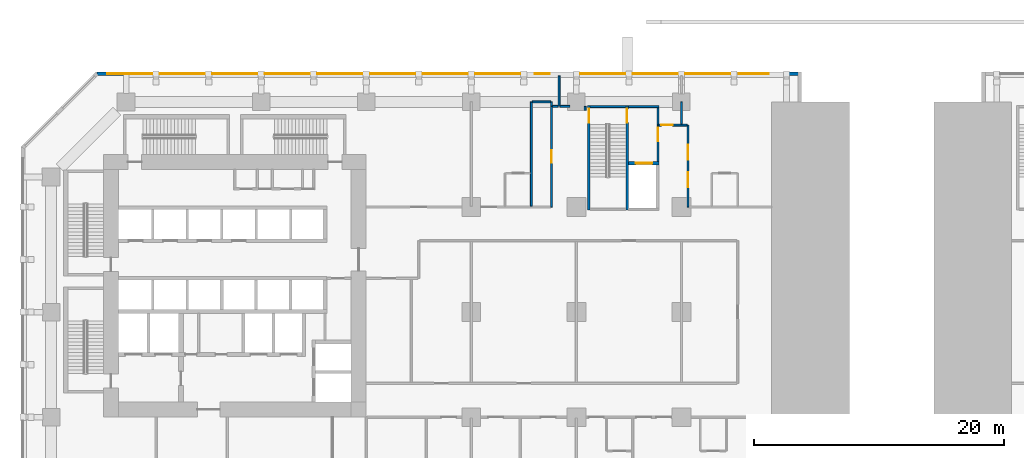
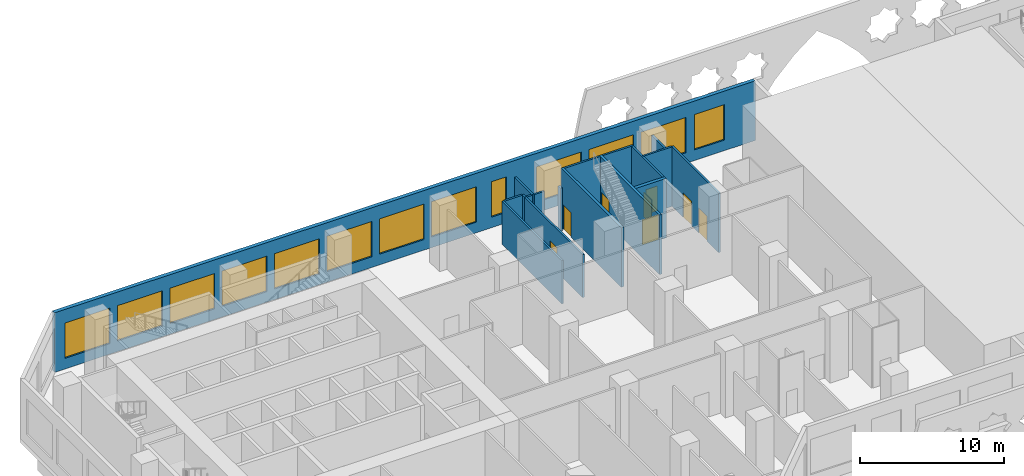
# One storey, part 12 of 24: 18 walls, 13 windows, 8 doors, 21 openings.
"""IFC4 building model written with IfcOpenShell, lengths in metres."""

from ifc_helpers import new_model, si_unit, direction, frame, frame_2d, origin, place, context, subcontext, project, spatial, rectangle, extrude, material, layer, layer_set, type_object, element, fill, save


model = new_model("IFC4")

# Units and contexts
model_context = context("Model", 3, precision=1e-05, world=origin(), true_north=direction((0.0, 1.0)))
body_context = subcontext(model_context, "Body", "Model", "MODEL_VIEW")
ifc_project = project(units=[si_unit("LENGTHUNIT", "METRE"), si_unit("AREAUNIT", "SQUARE_METRE"), si_unit("VOLUMEUNIT", "CUBIC_METRE"), si_unit("PLANEANGLEUNIT", "RADIAN"), si_unit("MASSUNIT", "GRAM", prefix="KILO")], contexts=[model_context])

# Site, building, storey
site_placement = place(None, origin())
site = spatial("IfcSite", under=ifc_project, at=site_placement, CompositionType="ELEMENT")
building_placement = place(site_placement, origin())
building = spatial("IfcBuilding", under=site, at=building_placement, Name="Kawkab Arch Medical Tower", CompositionType="ELEMENT")
storey_placement = place(building_placement, frame((0.0, 0.0, 18.199951171875)))
storey = spatial("IfcBuildingStorey", under=building, at=storey_placement, Name="L04", CompositionType="ELEMENT", Elevation=18.199951171875)

# Wall, opening, door
ifc_material_1 = material(Name="Gypsum board on steel studs", Category="steel")
ifc_layer_1 = layer(ifc_material_1, 0.14990234375)
ifc_layer_set_1 = layer_set([ifc_layer_1], Name="Gypsum board on steel studs")
wall_type_1 = type_object("IfcWallType", Name="Core room partition 150", PredefinedType="PARTITIONING", material=ifc_layer_set_1)
wall_1_placement = place(storey_placement, frame((48.52490234375, -4.77490234375, 0.0), z_axis=(0.0, 0.0, 1.0), x_axis=(0.0, 1.0, 0.0)))
wall_1 = element("IfcWall", 1, at=wall_1_placement, inside=storey, type_object=wall_type_1, Name="L04 core room partition", PredefinedType="PARTITIONING", context=body_context, shape_type="SweptSolid", body=[
    extrude(rectangle(XDim=4.324951171875, YDim=0.14990234375, at=frame_2d((2.16259765625, 0.0))), origin(), (0.0, 0.0, 1.0), 5.050048828125),
])
opening_1_placement = place(wall_1_placement, frame((1.625, 0.0, 0.0)))
opening_1 = element("IfcOpeningElement", 2, at=opening_1_placement, cuts=wall_1, Name="Opening FD", PredefinedType="OPENING", context=body_context, shape_type="SweptSolid", body=[
    extrude(rectangle(XDim=1.10009765625, YDim=2.10009765625, at=frame_2d((0.550048828125, 1.050048828125))), frame((0.0, 0.0849609375, 0.0), z_axis=(0.0, -1.0, 0.0), x_axis=(1.0, 0.0, 0.0)), (0.0, 0.0, 1.0), 0.169921875),
])
ifc_material_2 = material(Name="Hollow metal fire door leaf")
door_type_1 = type_object("IfcDoorType", Name="Firefighting lobby door 1100", OperationType="SINGLE_SWING_LEFT", PredefinedType="DOOR", material=ifc_material_2)
door_1_placement = place(opening_1_placement, origin())
door_1 = element("IfcDoor", 3, at=door_1_placement, inside=storey, type_object=door_type_1, Name="L04 Service lift lobby door SV1", OperationType="SINGLE_SWING_LEFT", OverallHeight=2.10009765625, OverallWidth=1.10009765625, PredefinedType="DOOR", context=body_context, shape_type="SweptSolid", body=[
    extrude(rectangle(XDim=1.10009765625, YDim=2.10009765625, at=frame_2d((0.550048828125, 1.050048828125))), frame((0.0, 0.02490234375, 0.0), z_axis=(0.0, -1.0, 0.0), x_axis=(1.0, 0.0, 0.0)), (0.0, 0.0, 1.0), 0.050048828125),
])
fill(opening_1, door_1)

ifc_material_3 = material(Name="Concrete C60/75", Category="concrete")
ifc_layer_2 = layer(ifc_material_3, 0.25)
ifc_layer_set_2 = layer_set([ifc_layer_2], Name="Concrete C60/75")
wall_type_2 = type_object("IfcWallType", Name="Core shear wall 250 C60/75", PredefinedType="SHEAR", material=ifc_layer_set_2)
wall_2_placement = place(storey_placement, frame((46.14990234375, -4.89990234375, 0.0), z_axis=(0.0, 0.0, 1.0), x_axis=(1.0, 0.0, 0.0)))
wall_2 = element("IfcWall", 4, at=wall_2_placement, inside=storey, type_object=wall_type_2, Name="L04 core shear wall", PredefinedType="SHEAR", context=body_context, shape_type="SweptSolid", body=[
    extrude(rectangle(XDim=2.4501953125, YDim=0.25, at=frame_2d((1.22509765625, 0.0))), origin(), (0.0, 0.0, 1.0), 5.050048828125),
])
opening_2_placement = place(wall_2_placement, frame((0.60009765625, 0.0, 0.0)))
opening_2 = element("IfcOpeningElement", 5, at=opening_2_placement, cuts=wall_2, Name="Opening LD2", PredefinedType="OPENING", context=body_context, shape_type="SweptSolid", body=[
    extrude(rectangle(XDim=1.300048828125, YDim=2.10009765625, at=frame_2d((0.64990234375, 1.050048828125))), frame((0.0, 0.135009765625, 0.0), z_axis=(0.0, -1.0, 0.0), x_axis=(1.0, 0.0, 0.0)), (0.0, 0.0, 1.0), 0.27001953125),
])
ifc_material_4 = material(Name="Stainless steel lift door leaf", Category="steel")
door_type_2 = type_object("IfcDoorType", Name="Lift landing door 1300", OperationType="DOUBLE_DOOR_SLIDING", PredefinedType="DOOR", material=ifc_material_4)
door_2_placement = place(opening_2_placement, origin())
door_2 = element("IfcDoor", 6, at=door_2_placement, inside=storey, type_object=door_type_2, Name="L04 Lift landing door SV1", OperationType="DOUBLE_DOOR_SLIDING", OverallHeight=2.10009765625, OverallWidth=1.300048828125, PredefinedType="DOOR", context=body_context, shape_type="SweptSolid", body=[
    extrude(rectangle(XDim=1.300048828125, YDim=2.10009765625, at=frame_2d((0.64990234375, 1.050048828125))), frame((0.0, 0.02490234375, 0.0), z_axis=(0.0, -1.0, 0.0), x_axis=(1.0, 0.0, 0.0)), (0.0, 0.0, 1.0), 0.050048828125),
])
fill(opening_2, door_2)

ifc_material_5 = material(Name="Gypsum board partition on steel studs, mineral wool", Category="steel")
ifc_layer_3 = layer(ifc_material_5, 0.14990234375)
ifc_layer_set_3 = layer_set([ifc_layer_3], Name="Gypsum board partition on steel studs, mineral wool")
wall_type_3 = type_object("IfcWallType", Name="Partition 150", PredefinedType="PARTITIONING", material=ifc_layer_set_3)
wall_3_placement = place(storey_placement, frame((48.550048828125, -1.85009765625, 0.0), z_axis=(0.0, 0.0, 1.0), x_axis=(1.0, 0.0, 0.0)))
wall_3 = element("IfcWall", 7, at=wall_3_placement, inside=storey, type_object=wall_type_3, Name="Partition 150 w083", PredefinedType="PARTITIONING", context=body_context, shape_type="SweptSolid", body=[
    extrude(rectangle(XDim=2.2978515625, YDim=0.14990234375, at=frame_2d((1.14892578125, 0.0))), origin(), (0.0, 0.0, 1.0), 5.050048828125),
])
opening_3_placement = place(wall_3_placement, frame((0.25, 0.0, 0.0)))
opening_3 = element("IfcOpeningElement", 8, at=opening_3_placement, cuts=wall_3, Name="Opening P04-018", PredefinedType="OPENING", context=body_context, shape_type="SweptSolid", body=[
    extrude(rectangle(XDim=0.89990234375, YDim=2.10009765625, at=frame_2d((0.449951171875, 1.050048828125))), frame((0.0, 0.0849609375, 0.0), z_axis=(0.0, -1.0, 0.0), x_axis=(1.0, 0.0, 0.0)), (0.0, 0.0, 1.0), 0.169921875),
])
ifc_material_6 = material(Name="Hollow metal door leaf")
door_type_3 = type_object("IfcDoorType", Name="Single door 900x2100 FD30S", OperationType="NOTDEFINED", PredefinedType="DOOR", material=ifc_material_6)
door_3_placement = place(opening_3_placement, origin())
door_3 = element("IfcDoor", 9, at=door_3_placement, inside=storey, type_object=door_type_3, Name="Door P04-018", OperationType="SINGLE_SWING_LEFT", OverallHeight=2.10009765625, OverallWidth=0.89990234375, PredefinedType="DOOR", context=body_context, shape_type="SweptSolid", body=[
    extrude(rectangle(XDim=0.89990234375, YDim=2.10009765625, at=frame_2d((0.449951171875, 1.050048828125))), frame((0.0, 0.02490234375, 0.0), z_axis=(0.0, -1.0, 0.0), x_axis=(1.0, 0.0, 0.0)), (0.0, 0.0, 1.0), 0.050048828125),
])
fill(opening_3, door_3)

# Walls
wall_4_placement = place(storey_placement, frame((40.10205078125, -0.35009765625, 0.0), z_axis=(0.0, 0.0, 1.0), x_axis=(1.0, 0.0, 0.0)))
element("IfcWall", 10, at=wall_4_placement, inside=storey, type_object=wall_type_3, Name="Partition 150 w084", PredefinedType="PARTITIONING", context=body_context, shape_type="SweptSolid", body=[
    extrude(rectangle(XDim=0.4228515625, YDim=0.14990234375, at=frame_2d((0.21142578125, 0.0))), origin(), (0.0, 0.0, 1.0), 3.650146484375),
])
wall_5_placement = place(storey_placement, frame((40.695068359375, -0.35009765625, 0.0), z_axis=(0.0, 0.0, 1.0), x_axis=(1.0, 0.0, 0.0)))
element("IfcWall", 11, at=wall_5_placement, inside=storey, type_object=wall_type_3, Name="Partition 150 w085", PredefinedType="PARTITIONING", context=body_context, shape_type="SweptSolid", body=[
    extrude(rectangle(XDim=0.79296875, YDim=0.14990234375, at=frame_2d((0.396484375, 0.0))), origin(), (0.0, 0.0, 1.0), 3.650146484375),
])
wall_6_placement = place(storey_placement, frame((38.47802734375, 0.0, 0.0), z_axis=(0.0, 0.0, 1.0), x_axis=(1.0, 0.0, 0.0)))
element("IfcWall", 12, at=wall_6_placement, inside=storey, type_object=wall_type_3, Name="Partition 150 w086", PredefinedType="PARTITIONING", context=body_context, shape_type="SweptSolid", body=[
    extrude(rectangle(XDim=1.451904296875, YDim=0.14990234375, at=frame_2d((0.72607421875, 0.0))), origin(), (0.0, 0.0, 1.0), 3.650146484375),
])
wall_7_placement = place(storey_placement, frame((38.39990234375, -8.324951171875, 0.0), z_axis=(0.0, 0.0, 1.0), x_axis=(0.0, 1.0, 0.0)))
element("IfcWall", 13, at=wall_7_placement, inside=storey, type_object=wall_type_3, Name="Partition 150 w107", PredefinedType="PARTITIONING", context=body_context, shape_type="SweptSolid", body=[
    extrude(rectangle(XDim=8.322998046875, YDim=0.14990234375, at=frame_2d((4.16162109375, 0.0))), origin(), (0.0, 0.0, 1.0), 3.650146484375),
])

# Wall, opening, door
wall_8_placement = place(storey_placement, frame((40.007080078125, -8.39990234375, 0.0), z_axis=(0.0, 0.0, 1.0), x_axis=(0.0, 1.0, 0.0)))
wall_8 = element("IfcWall", 14, at=wall_8_placement, inside=storey, type_object=wall_type_3, Name="Partition 150 w108", PredefinedType="PARTITIONING", context=body_context, shape_type="SweptSolid", body=[
    extrude(rectangle(XDim=8.0498046875, YDim=0.14990234375, at=frame_2d((4.02490234375, 0.0))), origin(), (0.0, 0.0, 1.0), 3.650146484375),
])
opening_4_placement = place(wall_8_placement, frame((3.52490234375, 0.0, 0.0)))
opening_4 = element("IfcOpeningElement", 15, at=opening_4_placement, cuts=wall_8, Name="Opening P04-019", PredefinedType="OPENING", context=body_context, shape_type="SweptSolid", body=[
    extrude(rectangle(XDim=1.0, YDim=2.10009765625, at=frame_2d((0.5, 1.050048828125))), frame((0.0, 0.0849609375, 0.0), z_axis=(0.0, -1.0, 0.0), x_axis=(1.0, 0.0, 0.0)), (0.0, 0.0, 1.0), 0.169921875),
])
ifc_material_7 = material(Name="Timber door leaf", Category="wood")
door_type_4 = type_object("IfcDoorType", Name="Single door 1000x2100", OperationType="NOTDEFINED", PredefinedType="DOOR", material=ifc_material_7)
door_4_placement = place(opening_4_placement, origin())
door_4 = element("IfcDoor", 16, at=door_4_placement, inside=storey, type_object=door_type_4, Name="Door P04-019", OperationType="SINGLE_SWING_LEFT", OverallHeight=2.10009765625, OverallWidth=1.0, PredefinedType="DOOR", context=body_context, shape_type="SweptSolid", body=[
    extrude(rectangle(XDim=1.0, YDim=2.10009765625, at=frame_2d((0.5, 1.050048828125))), frame((0.0, 0.02490234375, 0.0), z_axis=(0.0, -1.0, 0.0), x_axis=(1.0, 0.0, 0.0)), (0.0, 0.0, 1.0), 0.050048828125),
])
fill(opening_4, door_4)

# Walls
wall_9_placement = place(storey_placement, frame((40.007080078125, -0.330078125, 0.0), z_axis=(0.0, 0.0, 1.0), x_axis=(0.0, 1.0, 0.0)))
element("IfcWall", 17, at=wall_9_placement, inside=storey, type_object=wall_type_3, Name="Partition 150 w109", PredefinedType="PARTITIONING", context=body_context, shape_type="SweptSolid", body=[
    extrude(rectangle(XDim=0.328125, YDim=0.14990234375, at=frame_2d((0.1640625, 0.0))), origin(), (0.0, 0.0, 1.0), 3.650146484375),
])
wall_10_placement = place(storey_placement, frame((40.6201171875, -0.330078125, 0.0), z_axis=(0.0, 0.0, 1.0), x_axis=(0.0, 1.0, 0.0)))
element("IfcWall", 18, at=wall_10_placement, inside=storey, type_object=wall_type_3, Name="Partition 150 w110", PredefinedType="PARTITIONING", context=body_context, shape_type="SweptSolid", body=[
    extrude(rectangle(XDim=2.41015625, YDim=0.14990234375, at=frame_2d((1.205078125, 0.0))), origin(), (0.0, 0.0, 1.0), 3.650146484375),
])
wall_11_placement = place(storey_placement, frame((42.699951171875, -0.679931640625, 0.0), z_axis=(0.0, 0.0, 1.0), x_axis=(0.0, 1.0, 0.0)))
element("IfcWall", 19, at=wall_11_placement, inside=storey, type_object=wall_type_3, Name="Partition 150 w113", PredefinedType="PARTITIONING", context=body_context, shape_type="SweptSolid", body=[
    extrude(rectangle(XDim=0.326904296875, YDim=0.14990234375, at=frame_2d((0.16357421875, 0.0))), origin(), (0.0, 0.0, 1.0), 3.650146484375),
])
wall_12_placement = place(storey_placement, frame((50.39990234375, -1.77490234375, 0.0), z_axis=(0.0, 0.0, 1.0), x_axis=(0.0, 1.0, 0.0)))
element("IfcWall", 20, at=wall_12_placement, inside=storey, type_object=wall_type_3, Name="Partition 150 w116", PredefinedType="PARTITIONING", context=body_context, shape_type="SweptSolid", body=[
    extrude(rectangle(XDim=1.77197265625, YDim=0.14990234375, at=frame_2d((0.885986328125, 0.0))), origin(), (0.0, 0.0, 1.0), 5.050048828125),
])

# Wall, openings, doors
wall_13_placement = place(storey_placement, frame((50.925048828125, -8.39990234375, 0.0), z_axis=(0.0, 0.0, 1.0), x_axis=(0.0, 1.0, 0.0)))
wall_13 = element("IfcWall", 21, at=wall_13_placement, inside=storey, type_object=wall_type_3, Name="Partition 150 w118", PredefinedType="PARTITIONING", context=body_context, shape_type="SweptSolid", body=[
    extrude(rectangle(XDim=6.5478515625, YDim=0.14990234375, at=frame_2d((3.27392578125, 0.0))), origin(), (0.0, 0.0, 1.0), 5.050048828125),
])
opening_5_placement = place(wall_13_placement, frame((3.764892578125, 0.0, 0.0)))
opening_5 = element("IfcOpeningElement", 22, at=opening_5_placement, cuts=wall_13, Name="Opening P04-041", PredefinedType="OPENING", context=body_context, shape_type="SweptSolid", body=[
    extrude(rectangle(XDim=1.199951171875, YDim=2.10009765625, at=frame_2d((0.60009765625, 1.050048828125))), frame((0.0, 0.0849609375, 0.0), z_axis=(0.0, -1.0, 0.0), x_axis=(1.0, 0.0, 0.0)), (0.0, 0.0, 1.0), 0.169921875),
])
opening_6_placement = place(wall_13_placement, frame((1.5830078125, 0.0, 0.0)))
opening_6 = element("IfcOpeningElement", 23, at=opening_6_placement, cuts=wall_13, Name="Opening P04-042", PredefinedType="OPENING", context=body_context, shape_type="SweptSolid", body=[
    extrude(rectangle(XDim=1.199951171875, YDim=2.10009765625, at=frame_2d((0.60009765625, 1.050048828125))), frame((0.0, 0.0849609375, 0.0), z_axis=(0.0, -1.0, 0.0), x_axis=(1.0, 0.0, 0.0)), (0.0, 0.0, 1.0), 0.169921875),
])
ifc_material_8 = material(Name="Hollow metal door leaf")
door_type_5 = type_object("IfcDoorType", Name="Single door 1200x2100 FD30S", OperationType="NOTDEFINED", PredefinedType="DOOR", material=ifc_material_8)
door_5_placement = place(opening_5_placement, origin())
door_5 = element("IfcDoor", 24, at=door_5_placement, inside=storey, type_object=door_type_5, Name="Door P04-041", OperationType="SINGLE_SWING_LEFT", OverallHeight=2.10009765625, OverallWidth=1.199951171875, PredefinedType="DOOR", context=body_context, shape_type="SweptSolid", body=[
    extrude(rectangle(XDim=1.199951171875, YDim=2.10009765625, at=frame_2d((0.60009765625, 1.050048828125))), frame((0.0, 0.02490234375, 0.0), z_axis=(0.0, -1.0, 0.0), x_axis=(1.0, 0.0, 0.0)), (0.0, 0.0, 1.0), 0.050048828125),
])
fill(opening_5, door_5)
door_6_placement = place(opening_6_placement, origin())
door_6 = element("IfcDoor", 25, at=door_6_placement, inside=storey, type_object=door_type_5, Name="Door P04-042", OperationType="SINGLE_SWING_RIGHT", OverallHeight=2.10009765625, OverallWidth=1.199951171875, PredefinedType="DOOR", context=body_context, shape_type="SweptSolid", body=[
    extrude(rectangle(XDim=1.199951171875, YDim=2.10009765625, at=frame_2d((0.60009765625, 1.050048828125))), frame((0.0, 0.02490234375, 0.0), z_axis=(0.0, -1.0, 0.0), x_axis=(1.0, 0.0, 0.0)), (0.0, 0.0, 1.0), 0.050048828125),
])
fill(opening_6, door_6)

# Wall, openings, windows
ifc_material_9 = material(Name="Bronze clad insulated wall panel")
ifc_layer_4 = layer(ifc_material_9, 0.300048828125)
ifc_layer_set_4 = layer_set([ifc_layer_4], Name="Bronze clad insulated wall panel")
wall_type_4 = type_object("IfcWallType", Name="Podium external wall 300", PredefinedType="SOLIDWALL", material=ifc_layer_set_4)
wall_14_placement = place(storey_placement, frame((59.85009765625, 2.25, 0.0), z_axis=(0.0, 0.0, 1.0), x_axis=(-1.0, 0.0, 0.0)))
wall_14 = element("IfcWall", 26, at=wall_14_placement, inside=storey, type_object=wall_type_4, Name="Podium external wall L04 R05", PredefinedType="SOLIDWALL", context=body_context, shape_type="SweptSolid", body=[
    extrude(rectangle(XDim=56.18798828125, YDim=0.300048828125, at=frame_2d((28.093994140625, 0.0))), origin(), (0.0, 0.0, 1.0), 5.050048828125),
])
opening_7_placement = place(wall_14_placement, frame((2.465087890625, 0.0, 0.89990234375)))
opening_7 = element("IfcOpeningElement", 27, at=opening_7_placement, cuts=wall_14, Name="Opening PBW240-30-S9", PredefinedType="OPENING", context=body_context, shape_type="SweptSolid", body=[
    extrude(rectangle(XDim=2.39990234375, YDim=3.0, at=frame_2d((1.199951171875, 1.5))), frame((0.0, 0.159912109375, 0.0), z_axis=(0.0, -1.0, 0.0), x_axis=(1.0, 0.0, 0.0)), (0.0, 0.0, 1.0), 0.320068359375),
])
opening_8_placement = place(wall_14_placement, frame((5.550048828125, 0.0, 0.89990234375)))
opening_8 = element("IfcOpeningElement", 28, at=opening_8_placement, cuts=wall_14, Name="Opening PBW360-30-S9", PredefinedType="OPENING", context=body_context, shape_type="SweptSolid", body=[
    extrude(rectangle(XDim=3.60009765625, YDim=3.0, at=frame_2d((1.800048828125, 1.5))), frame((0.0, 0.159912109375, 0.0), z_axis=(0.0, -1.0, 0.0), x_axis=(1.0, 0.0, 0.0)), (0.0, 0.0, 1.0), 0.320068359375),
])
opening_9_placement = place(wall_14_placement, frame((9.75, 0.0, 0.89990234375)))
opening_9 = element("IfcOpeningElement", 29, at=opening_9_placement, cuts=wall_14, Name="Opening PBW360-30-S9", PredefinedType="OPENING", context=body_context, shape_type="SweptSolid", body=[
    extrude(rectangle(XDim=3.60009765625, YDim=3.0, at=frame_2d((1.800048828125, 1.5))), frame((0.0, 0.159912109375, 0.0), z_axis=(0.0, -1.0, 0.0), x_axis=(1.0, 0.0, 0.0)), (0.0, 0.0, 1.0), 0.320068359375),
])
opening_10_placement = place(wall_14_placement, frame((13.949951171875, 0.0, 0.89990234375)))
opening_10 = element("IfcOpeningElement", 30, at=opening_10_placement, cuts=wall_14, Name="Opening PBW360-30-S9", PredefinedType="OPENING", context=body_context, shape_type="SweptSolid", body=[
    extrude(rectangle(XDim=3.60009765625, YDim=3.0, at=frame_2d((1.800048828125, 1.5))), frame((0.0, 0.159912109375, 0.0), z_axis=(0.0, -1.0, 0.0), x_axis=(1.0, 0.0, 0.0)), (0.0, 0.0, 1.0), 0.320068359375),
])
opening_11_placement = place(wall_14_placement, frame((19.965087890625, 0.0, 0.89990234375)))
opening_11 = element("IfcOpeningElement", 31, at=opening_11_placement, cuts=wall_14, Name="Opening PBW120-30-S9", PredefinedType="OPENING", context=body_context, shape_type="SweptSolid", body=[
    extrude(rectangle(XDim=1.199951171875, YDim=3.0, at=frame_2d((0.60009765625, 1.5))), frame((0.0, 0.159912109375, 0.0), z_axis=(0.0, -1.0, 0.0), x_axis=(1.0, 0.0, 0.0)), (0.0, 0.0, 1.0), 0.320068359375),
])
opening_12_placement = place(wall_14_placement, frame((22.35009765625, 0.0, 0.89990234375)))
opening_12 = element("IfcOpeningElement", 32, at=opening_12_placement, cuts=wall_14, Name="Opening PBW360-30-S9", PredefinedType="OPENING", context=body_context, shape_type="SweptSolid", body=[
    extrude(rectangle(XDim=3.60009765625, YDim=3.0, at=frame_2d((1.800048828125, 1.5))), frame((0.0, 0.159912109375, 0.0), z_axis=(0.0, -1.0, 0.0), x_axis=(1.0, 0.0, 0.0)), (0.0, 0.0, 1.0), 0.320068359375),
])
opening_13_placement = place(wall_14_placement, frame((26.550048828125, 0.0, 0.89990234375)))
opening_13 = element("IfcOpeningElement", 33, at=opening_13_placement, cuts=wall_14, Name="Opening PBW360-30-S9", PredefinedType="OPENING", context=body_context, shape_type="SweptSolid", body=[
    extrude(rectangle(XDim=3.60009765625, YDim=3.0, at=frame_2d((1.800048828125, 1.5))), frame((0.0, 0.159912109375, 0.0), z_axis=(0.0, -1.0, 0.0), x_axis=(1.0, 0.0, 0.0)), (0.0, 0.0, 1.0), 0.320068359375),
])
opening_14_placement = place(wall_14_placement, frame((30.75, 0.0, 0.89990234375)))
opening_14 = element("IfcOpeningElement", 34, at=opening_14_placement, cuts=wall_14, Name="Opening PBW360-30-S9", PredefinedType="OPENING", context=body_context, shape_type="SweptSolid", body=[
    extrude(rectangle(XDim=3.60009765625, YDim=3.0, at=frame_2d((1.800048828125, 1.5))), frame((0.0, 0.159912109375, 0.0), z_axis=(0.0, -1.0, 0.0), x_axis=(1.0, 0.0, 0.0)), (0.0, 0.0, 1.0), 0.320068359375),
])
opening_15_placement = place(wall_14_placement, frame((34.949951171875, 0.0, 0.89990234375)))
opening_15 = element("IfcOpeningElement", 35, at=opening_15_placement, cuts=wall_14, Name="Opening PBW360-30-S9", PredefinedType="OPENING", context=body_context, shape_type="SweptSolid", body=[
    extrude(rectangle(XDim=3.60009765625, YDim=3.0, at=frame_2d((1.800048828125, 1.5))), frame((0.0, 0.159912109375, 0.0), z_axis=(0.0, -1.0, 0.0), x_axis=(1.0, 0.0, 0.0)), (0.0, 0.0, 1.0), 0.320068359375),
])
opening_16_placement = place(wall_14_placement, frame((39.14990234375, 0.0, 0.89990234375)))
opening_16 = element("IfcOpeningElement", 36, at=opening_16_placement, cuts=wall_14, Name="Opening PBW360-30-S9", PredefinedType="OPENING", context=body_context, shape_type="SweptSolid", body=[
    extrude(rectangle(XDim=3.60009765625, YDim=3.0, at=frame_2d((1.800048828125, 1.5))), frame((0.0, 0.159912109375, 0.0), z_axis=(0.0, -1.0, 0.0), x_axis=(1.0, 0.0, 0.0)), (0.0, 0.0, 1.0), 0.320068359375),
])
opening_17_placement = place(wall_14_placement, frame((43.35009765625, 0.0, 0.89990234375)))
opening_17 = element("IfcOpeningElement", 37, at=opening_17_placement, cuts=wall_14, Name="Opening PBW360-30-S9", PredefinedType="OPENING", context=body_context, shape_type="SweptSolid", body=[
    extrude(rectangle(XDim=3.60009765625, YDim=3.0, at=frame_2d((1.800048828125, 1.5))), frame((0.0, 0.159912109375, 0.0), z_axis=(0.0, -1.0, 0.0), x_axis=(1.0, 0.0, 0.0)), (0.0, 0.0, 1.0), 0.320068359375),
])
opening_18_placement = place(wall_14_placement, frame((47.550048828125, 0.0, 0.89990234375)))
opening_18 = element("IfcOpeningElement", 38, at=opening_18_placement, cuts=wall_14, Name="Opening PBW360-30-S9", PredefinedType="OPENING", context=body_context, shape_type="SweptSolid", body=[
    extrude(rectangle(XDim=3.60009765625, YDim=3.0, at=frame_2d((1.800048828125, 1.5))), frame((0.0, 0.159912109375, 0.0), z_axis=(0.0, -1.0, 0.0), x_axis=(1.0, 0.0, 0.0)), (0.0, 0.0, 1.0), 0.320068359375),
])
opening_19_placement = place(wall_14_placement, frame((51.75, 0.0, 0.89990234375)))
opening_19 = element("IfcOpeningElement", 39, at=opening_19_placement, cuts=wall_14, Name="Opening PBW360-30-S9", PredefinedType="OPENING", context=body_context, shape_type="SweptSolid", body=[
    extrude(rectangle(XDim=3.60009765625, YDim=3.0, at=frame_2d((1.800048828125, 1.5))), frame((0.0, 0.159912109375, 0.0), z_axis=(0.0, -1.0, 0.0), x_axis=(1.0, 0.0, 0.0)), (0.0, 0.0, 1.0), 0.320068359375),
])
ifc_material_10 = material(Name="Bronze anodised aluminium louvred window", Category="aluminium")
window_type_1 = type_object("IfcWindowType", Name="Podium band window 1200 x 3000 sill 900", PartitioningType="DOUBLE_PANEL_VERTICAL", PredefinedType="WINDOW", material=ifc_material_10)
window_1_placement = place(opening_11_placement, origin())
window_1 = element("IfcWindow", 40, at=window_1_placement, inside=storey, type_object=window_type_1, Name="Band window L04 R05.5", OverallHeight=3.0, OverallWidth=1.199951171875, PartitioningType="SINGLE_PANEL", PredefinedType="WINDOW", context=body_context, shape_type="SweptSolid", body=[
    extrude(rectangle(XDim=1.199951171875, YDim=3.0, at=frame_2d((0.60009765625, 1.5))), frame((0.0, 0.030029296875, 0.0), z_axis=(0.0, -1.0, 0.0), x_axis=(1.0, 0.0, 0.0)), (0.0, 0.0, 1.0), 0.06005859375),
])
fill(opening_11, window_1)
ifc_material_11 = material(Name="Bronze anodised aluminium louvred window", Category="aluminium")
window_type_2 = type_object("IfcWindowType", Name="Podium band window 2400 x 3000 sill 900", PartitioningType="DOUBLE_PANEL_VERTICAL", PredefinedType="WINDOW", material=ifc_material_11)
window_2_placement = place(opening_7_placement, origin())
window_2 = element("IfcWindow", 41, at=window_2_placement, inside=storey, type_object=window_type_2, Name="Band window L04 R05.1", OverallHeight=3.0, OverallWidth=2.39990234375, PartitioningType="SINGLE_PANEL", PredefinedType="WINDOW", context=body_context, shape_type="SweptSolid", body=[
    extrude(rectangle(XDim=2.39990234375, YDim=3.0, at=frame_2d((1.199951171875, 1.5))), frame((0.0, 0.030029296875, 0.0), z_axis=(0.0, -1.0, 0.0), x_axis=(1.0, 0.0, 0.0)), (0.0, 0.0, 1.0), 0.06005859375),
])
fill(opening_7, window_2)
ifc_material_12 = material(Name="Bronze anodised aluminium louvred window", Category="aluminium")
window_type_3 = type_object("IfcWindowType", Name="Podium band window 3600 x 3000 sill 900", PartitioningType="DOUBLE_PANEL_VERTICAL", PredefinedType="WINDOW", material=ifc_material_12)
window_3_placement = place(opening_8_placement, origin())
window_3 = element("IfcWindow", 42, at=window_3_placement, inside=storey, type_object=window_type_3, Name="Band window L04 R05.2", OverallHeight=3.0, OverallWidth=3.60009765625, PartitioningType="SINGLE_PANEL", PredefinedType="WINDOW", context=body_context, shape_type="SweptSolid", body=[
    extrude(rectangle(XDim=3.60009765625, YDim=3.0, at=frame_2d((1.800048828125, 1.5))), frame((0.0, 0.030029296875, 0.0), z_axis=(0.0, -1.0, 0.0), x_axis=(1.0, 0.0, 0.0)), (0.0, 0.0, 1.0), 0.06005859375),
])
fill(opening_8, window_3)
window_4_placement = place(opening_9_placement, origin())
window_4 = element("IfcWindow", 43, at=window_4_placement, inside=storey, type_object=window_type_3, Name="Band window L04 R05.3", OverallHeight=3.0, OverallWidth=3.60009765625, PartitioningType="SINGLE_PANEL", PredefinedType="WINDOW", context=body_context, shape_type="SweptSolid", body=[
    extrude(rectangle(XDim=3.60009765625, YDim=3.0, at=frame_2d((1.800048828125, 1.5))), frame((0.0, 0.030029296875, 0.0), z_axis=(0.0, -1.0, 0.0), x_axis=(1.0, 0.0, 0.0)), (0.0, 0.0, 1.0), 0.06005859375),
])
fill(opening_9, window_4)
window_5_placement = place(opening_10_placement, origin())
window_5 = element("IfcWindow", 44, at=window_5_placement, inside=storey, type_object=window_type_3, Name="Band window L04 R05.4", OverallHeight=3.0, OverallWidth=3.60009765625, PartitioningType="SINGLE_PANEL", PredefinedType="WINDOW", context=body_context, shape_type="SweptSolid", body=[
    extrude(rectangle(XDim=3.60009765625, YDim=3.0, at=frame_2d((1.800048828125, 1.5))), frame((0.0, 0.030029296875, 0.0), z_axis=(0.0, -1.0, 0.0), x_axis=(1.0, 0.0, 0.0)), (0.0, 0.0, 1.0), 0.06005859375),
])
fill(opening_10, window_5)
window_6_placement = place(opening_12_placement, origin())
window_6 = element("IfcWindow", 45, at=window_6_placement, inside=storey, type_object=window_type_3, Name="Band window L04 R05.6", OverallHeight=3.0, OverallWidth=3.60009765625, PartitioningType="SINGLE_PANEL", PredefinedType="WINDOW", context=body_context, shape_type="SweptSolid", body=[
    extrude(rectangle(XDim=3.60009765625, YDim=3.0, at=frame_2d((1.800048828125, 1.5))), frame((0.0, 0.030029296875, 0.0), z_axis=(0.0, -1.0, 0.0), x_axis=(1.0, 0.0, 0.0)), (0.0, 0.0, 1.0), 0.06005859375),
])
fill(opening_12, window_6)
window_7_placement = place(opening_13_placement, origin())
window_7 = element("IfcWindow", 46, at=window_7_placement, inside=storey, type_object=window_type_3, Name="Band window L04 R05.7", OverallHeight=3.0, OverallWidth=3.60009765625, PartitioningType="SINGLE_PANEL", PredefinedType="WINDOW", context=body_context, shape_type="SweptSolid", body=[
    extrude(rectangle(XDim=3.60009765625, YDim=3.0, at=frame_2d((1.800048828125, 1.5))), frame((0.0, 0.030029296875, 0.0), z_axis=(0.0, -1.0, 0.0), x_axis=(1.0, 0.0, 0.0)), (0.0, 0.0, 1.0), 0.06005859375),
])
fill(opening_13, window_7)
window_8_placement = place(opening_14_placement, origin())
window_8 = element("IfcWindow", 47, at=window_8_placement, inside=storey, type_object=window_type_3, Name="Band window L04 R05.8", OverallHeight=3.0, OverallWidth=3.60009765625, PartitioningType="SINGLE_PANEL", PredefinedType="WINDOW", context=body_context, shape_type="SweptSolid", body=[
    extrude(rectangle(XDim=3.60009765625, YDim=3.0, at=frame_2d((1.800048828125, 1.5))), frame((0.0, 0.030029296875, 0.0), z_axis=(0.0, -1.0, 0.0), x_axis=(1.0, 0.0, 0.0)), (0.0, 0.0, 1.0), 0.06005859375),
])
fill(opening_14, window_8)
window_9_placement = place(opening_15_placement, origin())
window_9 = element("IfcWindow", 48, at=window_9_placement, inside=storey, type_object=window_type_3, Name="Band window L04 R05.9", OverallHeight=3.0, OverallWidth=3.60009765625, PartitioningType="SINGLE_PANEL", PredefinedType="WINDOW", context=body_context, shape_type="SweptSolid", body=[
    extrude(rectangle(XDim=3.60009765625, YDim=3.0, at=frame_2d((1.800048828125, 1.5))), frame((0.0, 0.030029296875, 0.0), z_axis=(0.0, -1.0, 0.0), x_axis=(1.0, 0.0, 0.0)), (0.0, 0.0, 1.0), 0.06005859375),
])
fill(opening_15, window_9)
window_10_placement = place(opening_16_placement, origin())
window_10 = element("IfcWindow", 49, at=window_10_placement, inside=storey, type_object=window_type_3, Name="Band window L04 R05.10", OverallHeight=3.0, OverallWidth=3.60009765625, PartitioningType="SINGLE_PANEL", PredefinedType="WINDOW", context=body_context, shape_type="SweptSolid", body=[
    extrude(rectangle(XDim=3.60009765625, YDim=3.0, at=frame_2d((1.800048828125, 1.5))), frame((0.0, 0.030029296875, 0.0), z_axis=(0.0, -1.0, 0.0), x_axis=(1.0, 0.0, 0.0)), (0.0, 0.0, 1.0), 0.06005859375),
])
fill(opening_16, window_10)
window_11_placement = place(opening_17_placement, origin())
window_11 = element("IfcWindow", 50, at=window_11_placement, inside=storey, type_object=window_type_3, Name="Band window L04 R05.11", OverallHeight=3.0, OverallWidth=3.60009765625, PartitioningType="SINGLE_PANEL", PredefinedType="WINDOW", context=body_context, shape_type="SweptSolid", body=[
    extrude(rectangle(XDim=3.60009765625, YDim=3.0, at=frame_2d((1.800048828125, 1.5))), frame((0.0, 0.030029296875, 0.0), z_axis=(0.0, -1.0, 0.0), x_axis=(1.0, 0.0, 0.0)), (0.0, 0.0, 1.0), 0.06005859375),
])
fill(opening_17, window_11)
window_12_placement = place(opening_18_placement, origin())
window_12 = element("IfcWindow", 51, at=window_12_placement, inside=storey, type_object=window_type_3, Name="Band window L04 R05.12", OverallHeight=3.0, OverallWidth=3.60009765625, PartitioningType="SINGLE_PANEL", PredefinedType="WINDOW", context=body_context, shape_type="SweptSolid", body=[
    extrude(rectangle(XDim=3.60009765625, YDim=3.0, at=frame_2d((1.800048828125, 1.5))), frame((0.0, 0.030029296875, 0.0), z_axis=(0.0, -1.0, 0.0), x_axis=(1.0, 0.0, 0.0)), (0.0, 0.0, 1.0), 0.06005859375),
])
fill(opening_18, window_12)
window_13_placement = place(opening_19_placement, origin())
window_13 = element("IfcWindow", 52, at=window_13_placement, inside=storey, type_object=window_type_3, Name="Band window L04 R05.13", OverallHeight=3.0, OverallWidth=3.60009765625, PartitioningType="SINGLE_PANEL", PredefinedType="WINDOW", context=body_context, shape_type="SweptSolid", body=[
    extrude(rectangle(XDim=3.60009765625, YDim=3.0, at=frame_2d((1.800048828125, 1.5))), frame((0.0, 0.030029296875, 0.0), z_axis=(0.0, -1.0, 0.0), x_axis=(1.0, 0.0, 0.0)), (0.0, 0.0, 1.0), 0.06005859375),
])
fill(opening_19, window_13)

# Walls
ifc_material_13 = material(Name="Concrete C50/60", Category="concrete")
ifc_layer_5 = layer(ifc_material_13, 0.14990234375)
ifc_layer_set_5 = layer_set([ifc_layer_5], Name="Concrete C50/60")
wall_type_5 = type_object("IfcWallType", Name="Stair enclosure wall 150 C50/60", PredefinedType="SHEAR", material=ifc_layer_set_5)
wall_15_placement = place(storey_placement, frame((43.10009765625, -0.375, 0.0), z_axis=(0.0, 0.0, 1.0), x_axis=(1.0, 0.0, 0.0)))
element("IfcWall", 53, at=wall_15_placement, inside=storey, type_object=wall_type_5, Name="L04 stair enclosure wall", PredefinedType="SHEAR", context=body_context, shape_type="SweptSolid", body=[
    extrude(rectangle(XDim=2.849853515625, YDim=0.14990234375, at=frame_2d((1.4248046875, 0.0))), origin(), (0.0, 0.0, 1.0), 5.050048828125),
])
wall_16_placement = place(storey_placement, frame((46.14990234375, -0.375, 0.0), z_axis=(0.0, 0.0, 1.0), x_axis=(1.0, 0.0, 0.0)))
element("IfcWall", 54, at=wall_16_placement, inside=storey, type_object=wall_type_5, Name="L04 stair enclosure wall", PredefinedType="SHEAR", context=body_context, shape_type="SweptSolid", body=[
    extrude(rectangle(XDim=2.4501953125, YDim=0.14990234375, at=frame_2d((1.22509765625, 0.0))), origin(), (0.0, 0.0, 1.0), 5.050048828125),
])

# Wall, opening, door
ifc_material_14 = material(Name="Concrete C50/60", Category="concrete")
ifc_layer_6 = layer(ifc_material_14, 0.199951171875)
ifc_layer_set_6 = layer_set([ifc_layer_6], Name="Concrete C50/60")
wall_type_6 = type_object("IfcWallType", Name="Stair enclosure wall 200 C50/60", PredefinedType="SHEAR", material=ifc_layer_set_6)
wall_17_placement = place(storey_placement, frame((43.0, -8.64990234375, 0.0), z_axis=(0.0, 0.0, 1.0), x_axis=(0.0, 1.0, 0.0)))
wall_17 = element("IfcWall", 55, at=wall_17_placement, inside=storey, type_object=wall_type_6, Name="L04 stair enclosure wall", PredefinedType="SHEAR", context=body_context, shape_type="SweptSolid", body=[
    extrude(rectangle(XDim=8.349853515625, YDim=0.199951171875, at=frame_2d((4.1748046875, 0.0))), origin(), (0.0, 0.0, 1.0), 5.050048828125),
])
opening_20_placement = place(wall_17_placement, frame((7.0, 0.0, 0.0)))
opening_20 = element("IfcOpeningElement", 56, at=opening_20_placement, cuts=wall_17, Name="Opening SD", PredefinedType="OPENING", context=body_context, shape_type="SweptSolid", body=[
    extrude(rectangle(XDim=1.10009765625, YDim=2.10009765625, at=frame_2d((0.550048828125, 1.050048828125))), frame((0.0, 0.10986328125, 0.0), z_axis=(0.0, -1.0, 0.0), x_axis=(1.0, 0.0, 0.0)), (0.0, 0.0, 1.0), 0.219970703125),
])
ifc_material_15 = material(Name="Hollow metal fire door leaf")
door_type_6 = type_object("IfcDoorType", Name="Exit stair door 1100", OperationType="SINGLE_SWING_LEFT", PredefinedType="DOOR", material=ifc_material_15)
door_7_placement = place(opening_20_placement, frame((1.10009765625, 0.0, 0.0), z_axis=(0.0, 0.0, 1.0), x_axis=(-1.0, 0.0, 0.0)))
door_7 = element("IfcDoor", 57, at=door_7_placement, inside=storey, type_object=door_type_6, Name="L04 Exit stair ST5 door", OperationType="SINGLE_SWING_LEFT", OverallHeight=2.10009765625, OverallWidth=1.10009765625, PredefinedType="DOOR", context=body_context, shape_type="SweptSolid", body=[
    extrude(rectangle(XDim=1.10009765625, YDim=2.10009765625, at=frame_2d((0.550048828125, 1.050048828125))), frame((0.0, 0.02490234375, 0.0), z_axis=(0.0, -1.0, 0.0), x_axis=(1.0, 0.0, 0.0)), (0.0, 0.0, 1.0), 0.050048828125),
])
fill(opening_20, door_7)

wall_18_placement = place(storey_placement, frame((46.050048828125, -8.64990234375, 0.0), z_axis=(0.0, 0.0, 1.0), x_axis=(0.0, 1.0, 0.0)))
wall_18 = element("IfcWall", 58, at=wall_18_placement, inside=storey, type_object=wall_type_6, Name="L04 stair enclosure wall", PredefinedType="SHEAR", context=body_context, shape_type="SweptSolid", body=[
    extrude(rectangle(XDim=8.349853515625, YDim=0.199951171875, at=frame_2d((4.1748046875, 0.0))), origin(), (0.0, 0.0, 1.0), 5.050048828125),
])
opening_21_placement = place(wall_18_placement, frame((7.0, 0.0, 0.0)))
opening_21 = element("IfcOpeningElement", 59, at=opening_21_placement, cuts=wall_18, Name="Opening SD", PredefinedType="OPENING", context=body_context, shape_type="SweptSolid", body=[
    extrude(rectangle(XDim=1.10009765625, YDim=2.10009765625, at=frame_2d((0.550048828125, 1.050048828125))), frame((0.0, 0.10986328125, 0.0), z_axis=(0.0, -1.0, 0.0), x_axis=(1.0, 0.0, 0.0)), (0.0, 0.0, 1.0), 0.219970703125),
])
door_8_placement = place(opening_21_placement, origin())
door_8 = element("IfcDoor", 60, at=door_8_placement, inside=storey, type_object=door_type_6, Name="L04 Exit stair ST5 lobby door", OperationType="SINGLE_SWING_LEFT", OverallHeight=2.10009765625, OverallWidth=1.10009765625, PredefinedType="DOOR", context=body_context, shape_type="SweptSolid", body=[
    extrude(rectangle(XDim=1.10009765625, YDim=2.10009765625, at=frame_2d((0.550048828125, 1.050048828125))), frame((0.0, 0.02490234375, 0.0), z_axis=(0.0, -1.0, 0.0), x_axis=(1.0, 0.0, 0.0)), (0.0, 0.0, 1.0), 0.050048828125),
])
fill(opening_21, door_8)

save(model, "model.ifc")
